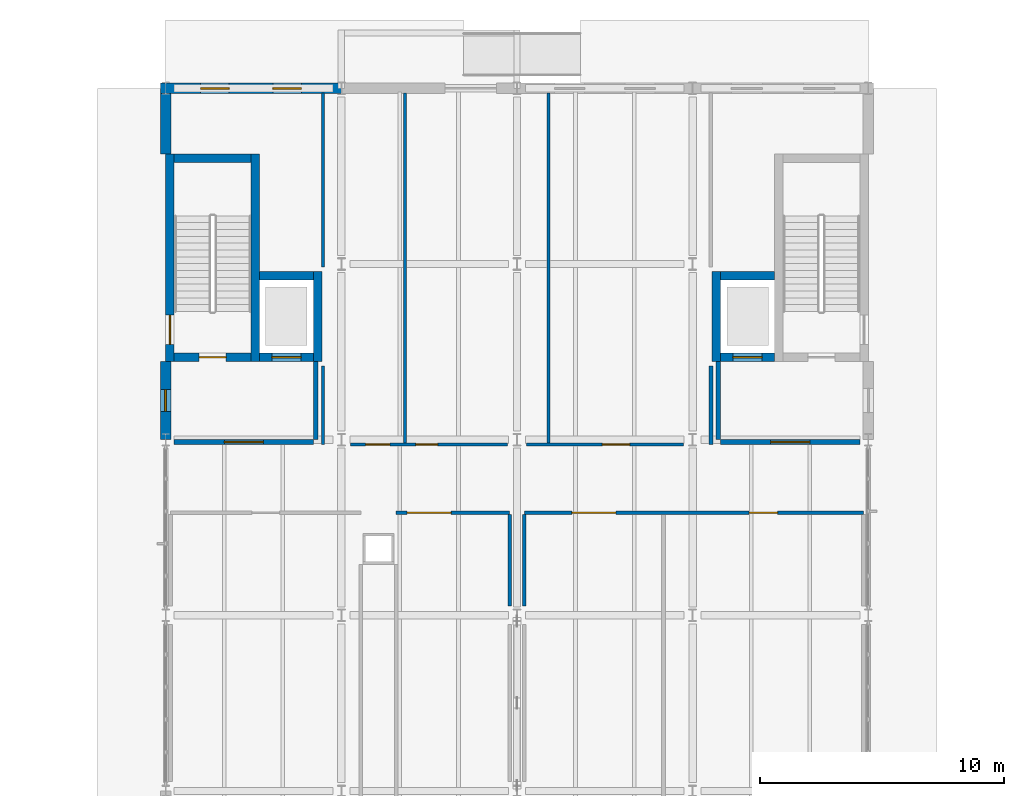
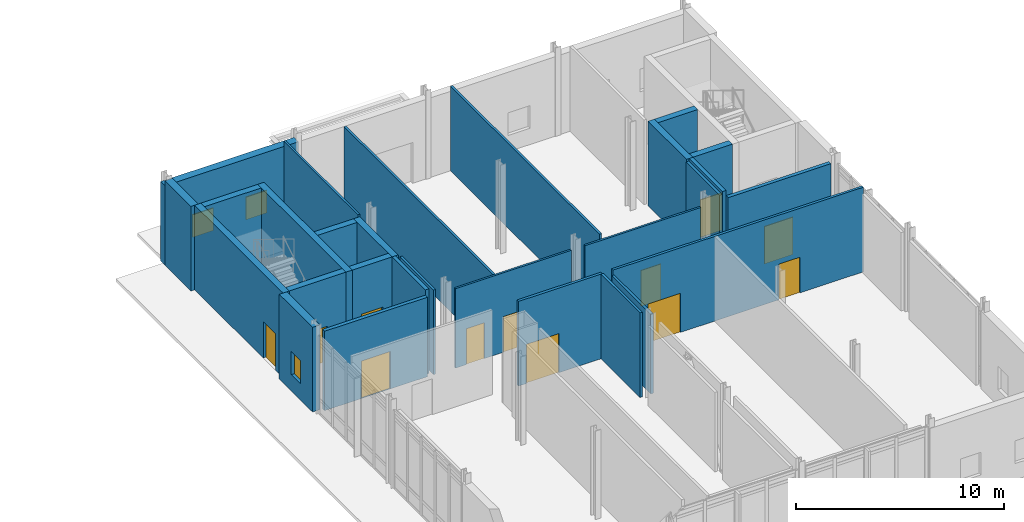
# One storey, part 68 of 89: 28 walls, 12 doors, 3 windows, 15 openings.
"""IFC4 building model written with IfcOpenShell, lengths in metres."""

from ifc_helpers import new_model, si_unit, direction, frame, frame_2d, origin, place, context, subcontext, project, spatial, rectangle, extrude, material, layer, layer_set, type_object, element, fill, save


model = new_model("IFC4")

# Units and contexts
model_context = context("Model", 3, precision=1e-05, world=origin(), true_north=direction((0.0, 1.0)))
body_context = subcontext(model_context, "Body", "Model", "MODEL_VIEW")
ifc_project = project(units=[si_unit("LENGTHUNIT", "METRE"), si_unit("AREAUNIT", "SQUARE_METRE"), si_unit("VOLUMEUNIT", "CUBIC_METRE"), si_unit("PLANEANGLEUNIT", "RADIAN"), si_unit("MASSUNIT", "GRAM", prefix="KILO")], contexts=[model_context])

# Site, building, storey
site_placement = place(None, origin())
site = spatial("IfcSite", under=ifc_project, at=site_placement, CompositionType="ELEMENT")
building_placement = place(site_placement, origin())
building = spatial("IfcBuilding", under=site, at=building_placement, Name="Zarrinpeak Specialist Clinic", CompositionType="ELEMENT")
storey_placement = place(building_placement, origin())
storey = spatial("IfcBuildingStorey", under=building, at=storey_placement, Name="L00", CompositionType="ELEMENT", Elevation=0.0)

# Wall, opening, door
ifc_material_1 = material(Name="Concrete C40/50", Category="concrete")
ifc_layer_1 = layer(ifc_material_1, 0.35009765625)
ifc_layer_set_1 = layer_set([ifc_layer_1], Name="Concrete C40/50")
wall_type_1 = type_object("IfcWallType", Name="WL-CR350", PredefinedType="SHEAR", material=ifc_layer_set_1)
wall_1_placement = place(storey_placement, frame((36.35009765625, 106.97509765625, 0.0), z_axis=(0.0, 0.0, 1.0), x_axis=(1.0, 0.0, 0.0)))
wall_1 = element("IfcWall", 1, at=wall_1_placement, inside=storey, type_object=wall_type_1, Name="L00 Core C11 Shear Wall STS", PredefinedType="SHEAR", context=body_context, shape_type="SweptSolid", body=[
    extrude(rectangle(XDim=3.14990234375, YDim=0.35009765625, at=frame_2d((1.574951171875, 0.0))), origin(), (0.0, 0.0, 1.0), 4.969970703125),
])
opening_1_placement = place(wall_1_placement, frame((1.02490234375, 0.0, 0.0)))
opening_1 = element("IfcOpeningElement", 2, at=opening_1_placement, cuts=wall_1, Name="Opening D-S02", PredefinedType="OPENING", context=body_context, shape_type="SweptSolid", body=[
    extrude(rectangle(XDim=1.10009765625, YDim=2.14990234375, at=frame_2d((0.550048828125, 1.074951171875))), frame((0.0, 0.18505859375, 0.0), z_axis=(0.0, -1.0, 0.0), x_axis=(1.0, 0.0, 0.0)), (0.0, 0.0, 1.0), 0.3701171875),
])
ifc_material_2 = material(Name="Powder-Coated Galvanised Steel", Category="steel")
door_type_1 = type_object("IfcDoorType", Name="DR-FD110", OperationType="SINGLE_SWING_RIGHT", PredefinedType="DOOR", material=ifc_material_2)
door_1_placement = place(opening_1_placement, origin())
door_1 = element("IfcDoor", 3, at=door_1_placement, inside=storey, type_object=door_type_1, Name="L00 Protected Stair ST-11 Fire Door", OperationType="SINGLE_SWING_RIGHT", OverallHeight=2.14990234375, OverallWidth=1.10009765625, PredefinedType="DOOR", context=body_context, shape_type="SweptSolid", body=[
    extrude(rectangle(XDim=1.10009765625, YDim=2.14990234375, at=frame_2d((0.550048828125, 1.074951171875))), frame((0.0, 0.02490234375, 0.0), z_axis=(0.0, -1.0, 0.0), x_axis=(1.0, 0.0, 0.0)), (0.0, 0.0, 1.0), 0.050048828125),
])
fill(opening_1, door_1)

# Wall
wall_2_placement = place(storey_placement, frame((36.35009765625, 115.125, 0.0), z_axis=(0.0, 0.0, 1.0), x_axis=(1.0, 0.0, 0.0)))
element("IfcWall", 4, at=wall_2_placement, inside=storey, type_object=wall_type_1, Name="L00 Core C11 Shear Wall STN", PredefinedType="SHEAR", context=body_context, shape_type="SweptSolid", body=[
    extrude(rectangle(XDim=3.14990234375, YDim=0.35009765625, at=frame_2d((1.574951171875, 0.0))), origin(), (0.0, 0.0, 1.0), 4.969970703125),
])

# Wall, opening, door
wall_3_placement = place(storey_placement, frame((36.175048828125, 106.800048828125, 0.0), z_axis=(0.0, 0.0, 1.0), x_axis=(0.0, 1.0, 0.0)))
wall_3 = element("IfcWall", 5, at=wall_3_placement, inside=storey, type_object=wall_type_1, Name="L00 Core C11 Shear Wall STW", PredefinedType="SHEAR", context=body_context, shape_type="SweptSolid", body=[
    extrude(rectangle(XDim=8.5, YDim=0.35009765625, at=frame_2d((4.25, 0.0))), origin(), (0.0, 0.0, 1.0), 4.969970703125),
])
opening_2_placement = place(wall_3_placement, frame((0.699951171875, 0.0, 0.0)))
opening_2 = element("IfcOpeningElement", 6, at=opening_2_placement, cuts=wall_3, Name="Opening D-EX2", PredefinedType="OPENING", context=body_context, shape_type="SweptSolid", body=[
    extrude(rectangle(XDim=1.199951171875, YDim=2.14990234375, at=frame_2d((0.60009765625, 1.074951171875))), frame((0.0, 0.18505859375, 0.0), z_axis=(0.0, -1.0, 0.0), x_axis=(1.0, 0.0, 0.0)), (0.0, 0.0, 1.0), 0.3701171875),
])
ifc_material_3 = material(Name="Powder-Coated Steel and Safety Glazing", Category="steel")
door_type_2 = type_object("IfcDoorType", Name="DR-EX120", OperationType="SINGLE_SWING_LEFT", PredefinedType="DOOR", material=ifc_material_3)
door_2_placement = place(opening_2_placement, origin())
door_2 = element("IfcDoor", 7, at=door_2_placement, inside=storey, type_object=door_type_2, Name="L00 Protected Stair ST-11 Final Exit Discharge Door ED-11", OperationType="SINGLE_SWING_LEFT", OverallHeight=2.14990234375, OverallWidth=1.199951171875, PredefinedType="DOOR", context=body_context, shape_type="SweptSolid", body=[
    extrude(rectangle(XDim=1.199951171875, YDim=2.14990234375, at=frame_2d((0.60009765625, 1.074951171875))), frame((0.0, 0.02490234375, 0.0), z_axis=(0.0, -1.0, 0.0), x_axis=(1.0, 0.0, 0.0)), (0.0, 0.0, 1.0), 0.050048828125),
])
fill(opening_2, door_2)

# Wall
wall_4_placement = place(storey_placement, frame((39.675048828125, 106.800048828125, 0.0), z_axis=(0.0, 0.0, 1.0), x_axis=(0.0, 1.0, 0.0)))
element("IfcWall", 8, at=wall_4_placement, inside=storey, type_object=wall_type_1, Name="L00 Core C11 Shear Wall STE", PredefinedType="SHEAR", context=body_context, shape_type="SweptSolid", body=[
    extrude(rectangle(XDim=8.5, YDim=0.35009765625, at=frame_2d((4.25, 0.0))), origin(), (0.0, 0.0, 1.0), 4.969970703125),
])

# Wall, opening, door
wall_5_placement = place(storey_placement, frame((39.85009765625, 106.97509765625, 0.0), z_axis=(0.0, 0.0, 1.0), x_axis=(1.0, 0.0, 0.0)))
wall_5 = element("IfcWall", 9, at=wall_5_placement, inside=storey, type_object=wall_type_1, Name="L00 Lift LF-P1 Shaft Wall LFS", PredefinedType="SHEAR", context=body_context, shape_type="SweptSolid", body=[
    extrude(rectangle(XDim=2.199951171875, YDim=0.35009765625, at=frame_2d((1.10009765625, 0.0))), origin(), (0.0, 0.0, 1.0), 4.969970703125),
])
opening_3_placement = place(wall_5_placement, frame((0.5, 0.0, 0.0)))
opening_3 = element("IfcOpeningElement", 10, at=opening_3_placement, cuts=wall_5, Name="Opening LD-02", PredefinedType="OPENING", context=body_context, shape_type="SweptSolid", body=[
    extrude(rectangle(XDim=1.199951171875, YDim=2.199951171875, at=frame_2d((0.60009765625, 1.10009765625))), frame((0.0, 0.18505859375, 0.0), z_axis=(0.0, -1.0, 0.0), x_axis=(1.0, 0.0, 0.0)), (0.0, 0.0, 1.0), 0.3701171875),
])
door_type_3 = type_object("IfcDoorType", Name="DR-LD120", OperationType="SLIDING_TO_RIGHT", PredefinedType="DOOR", material=ifc_material_2)
door_3_placement = place(opening_3_placement, origin())
door_3 = element("IfcDoor", 11, at=door_3_placement, inside=storey, type_object=door_type_3, Name="L00 Lift LF-P1 Sliding Landing Door", OperationType="SLIDING_TO_RIGHT", OverallHeight=2.199951171875, OverallWidth=1.199951171875, PredefinedType="DOOR", context=body_context, shape_type="SweptSolid", body=[
    extrude(rectangle(XDim=1.199951171875, YDim=2.199951171875, at=frame_2d((0.60009765625, 1.10009765625))), frame((0.0, 0.02490234375, 0.0), z_axis=(0.0, -1.0, 0.0), x_axis=(1.0, 0.0, 0.0)), (0.0, 0.0, 1.0), 0.050048828125),
])
fill(opening_3, door_3)

# Walls
wall_6_placement = place(storey_placement, frame((39.85009765625, 110.324951171875, 0.0), z_axis=(0.0, 0.0, 1.0), x_axis=(1.0, 0.0, 0.0)))
element("IfcWall", 12, at=wall_6_placement, inside=storey, type_object=wall_type_1, Name="L00 Lift LF-P1 Shaft Wall LFN", PredefinedType="SHEAR", context=body_context, shape_type="SweptSolid", body=[
    extrude(rectangle(XDim=2.199951171875, YDim=0.35009765625, at=frame_2d((1.10009765625, 0.0))), origin(), (0.0, 0.0, 1.0), 4.969970703125),
])
wall_7_placement = place(storey_placement, frame((42.22509765625, 106.800048828125, 0.0), z_axis=(0.0, 0.0, 1.0), x_axis=(0.0, 1.0, 0.0)))
element("IfcWall", 13, at=wall_7_placement, inside=storey, type_object=wall_type_1, Name="L00 Lift LF-P1 Shaft Wall LFE", PredefinedType="SHEAR", context=body_context, shape_type="SweptSolid", body=[
    extrude(rectangle(XDim=3.699951171875, YDim=0.35009765625, at=frame_2d((1.85009765625, 0.0))), origin(), (0.0, 0.0, 1.0), 4.969970703125),
])

# Wall, opening, door
wall_8_placement = place(storey_placement, frame((58.75, 106.97509765625, 0.0), z_axis=(0.0, 0.0, 1.0), x_axis=(1.0, 0.0, 0.0)))
wall_8 = element("IfcWall", 14, at=wall_8_placement, inside=storey, type_object=wall_type_1, Name="L00 Lift LF-P6 Shaft Wall LFS", PredefinedType="SHEAR", context=body_context, shape_type="SweptSolid", body=[
    extrude(rectangle(XDim=2.199951171875, YDim=0.35009765625, at=frame_2d((1.10009765625, 0.0))), origin(), (0.0, 0.0, 1.0), 4.969970703125),
])
opening_4_placement = place(wall_8_placement, frame((0.5, 0.0, 0.0)))
opening_4 = element("IfcOpeningElement", 15, at=opening_4_placement, cuts=wall_8, Name="Opening LD-02", PredefinedType="OPENING", context=body_context, shape_type="SweptSolid", body=[
    extrude(rectangle(XDim=1.199951171875, YDim=2.199951171875, at=frame_2d((0.60009765625, 1.10009765625))), frame((0.0, 0.18505859375, 0.0), z_axis=(0.0, -1.0, 0.0), x_axis=(1.0, 0.0, 0.0)), (0.0, 0.0, 1.0), 0.3701171875),
])
door_4_placement = place(opening_4_placement, origin())
door_4 = element("IfcDoor", 16, at=door_4_placement, inside=storey, type_object=door_type_3, Name="L00 Lift LF-P6 Sliding Landing Door", OperationType="SLIDING_TO_RIGHT", OverallHeight=2.199951171875, OverallWidth=1.199951171875, PredefinedType="DOOR", context=body_context, shape_type="SweptSolid", body=[
    extrude(rectangle(XDim=1.199951171875, YDim=2.199951171875, at=frame_2d((0.60009765625, 1.10009765625))), frame((0.0, 0.02490234375, 0.0), z_axis=(0.0, -1.0, 0.0), x_axis=(1.0, 0.0, 0.0)), (0.0, 0.0, 1.0), 0.050048828125),
])
fill(opening_4, door_4)

# Walls
wall_9_placement = place(storey_placement, frame((58.75, 110.324951171875, 0.0), z_axis=(0.0, 0.0, 1.0), x_axis=(1.0, 0.0, 0.0)))
element("IfcWall", 17, at=wall_9_placement, inside=storey, type_object=wall_type_1, Name="L00 Lift LF-P6 Shaft Wall LFN", PredefinedType="SHEAR", context=body_context, shape_type="SweptSolid", body=[
    extrude(rectangle(XDim=2.199951171875, YDim=0.35009765625, at=frame_2d((1.10009765625, 0.0))), origin(), (0.0, 0.0, 1.0), 4.969970703125),
])
wall_10_placement = place(storey_placement, frame((58.574951171875, 106.800048828125, 0.0), z_axis=(0.0, 0.0, 1.0), x_axis=(0.0, 1.0, 0.0)))
element("IfcWall", 18, at=wall_10_placement, inside=storey, type_object=wall_type_1, Name="L00 Lift LF-P6 Shaft Wall LFW", PredefinedType="SHEAR", context=body_context, shape_type="SweptSolid", body=[
    extrude(rectangle(XDim=3.699951171875, YDim=0.35009765625, at=frame_2d((1.85009765625, 0.0))), origin(), (0.0, 0.0, 1.0), 4.969970703125),
])

# Wall, openings, windows
ifc_material_4 = material(Name="Precast concrete C40/50", Category="concrete")
ifc_layer_2 = layer(ifc_material_4, 0.419921875)
ifc_layer_set_2 = layer_set([ifc_layer_2], Name="Precast concrete C40/50")
wall_type_2 = type_object("IfcWallType", Name="WL-EW420", PredefinedType="STANDARD", material=ifc_layer_set_2)
wall_11_placement = place(storey_placement, frame((43.199951171875, 118.0, 0.0), z_axis=(0.0, 0.0, 1.0), x_axis=(-1.0, 0.0, 0.0)))
wall_11 = element("IfcWall", 19, at=wall_11_placement, inside=storey, type_object=wall_type_2, Name="L00 V6 Exterior GRC Wall EW-L00-V6-0267", PredefinedType="STANDARD", context=body_context, shape_type="SweptSolid", body=[
    extrude(rectangle(XDim=7.409912109375, YDim=0.419921875, at=frame_2d((3.705078125, 0.0))), origin(), (0.0, 0.0, 1.0), 4.6650390625),
])
opening_5_placement = place(wall_11_placement, frame((1.639892578125, 0.0, 0.949951171875)))
opening_5 = element("IfcOpeningElement", 20, at=opening_5_placement, cuts=wall_11, Name="Opening WS-36", PredefinedType="OPENING", context=body_context, shape_type="SweptSolid", body=[
    extrude(rectangle(XDim=1.166015625, YDim=1.33203125, at=frame_2d((0.5830078125, 0.666015625))), frame((0.0, 0.219970703125, 0.0), z_axis=(0.0, -1.0, 0.0), x_axis=(1.0, 0.0, 0.0)), (0.0, 0.0, 1.0), 0.43994140625),
])
opening_6_placement = place(wall_11_placement, frame((4.60400390625, 0.0, 0.949951171875)))
opening_6 = element("IfcOpeningElement", 21, at=opening_6_placement, cuts=wall_11, Name="Opening WS-36", PredefinedType="OPENING", context=body_context, shape_type="SweptSolid", body=[
    extrude(rectangle(XDim=1.166015625, YDim=1.33203125, at=frame_2d((0.5830078125, 0.666015625))), frame((0.0, 0.219970703125, 0.0), z_axis=(0.0, -1.0, 0.0), x_axis=(1.0, 0.0, 0.0)), (0.0, 0.0, 1.0), 0.43994140625),
])
ifc_material_5 = material(Name="Thermally Broken Aluminium and Low-E Glazing", Category="aluminium")
window_type_1 = type_object("IfcWindowType", Name="WN-SP36", PartitioningType="SINGLE_PANEL", PredefinedType="WINDOW", material=ifc_material_5)
window_1_placement = place(opening_5_placement, origin())
window_1 = element("IfcWindow", 22, at=window_1_placement, inside=storey, type_object=window_type_1, Name="L00 Modular Facade Window WN-L00-0299", OverallHeight=1.33203125, OverallWidth=1.166015625, PartitioningType="SINGLE_PANEL", PredefinedType="WINDOW", context=body_context, shape_type="SweptSolid", body=[
    extrude(rectangle(XDim=1.166015625, YDim=1.33203125, at=frame_2d((0.5830078125, 0.666015625))), frame((0.0, 0.030029296875, 0.0), z_axis=(0.0, -1.0, 0.0), x_axis=(1.0, 0.0, 0.0)), (0.0, 0.0, 1.0), 0.06005859375),
])
fill(opening_5, window_1)
window_2_placement = place(opening_6_placement, origin())
window_2 = element("IfcWindow", 23, at=window_2_placement, inside=storey, type_object=window_type_1, Name="L00 Modular Facade Window WN-L00-0300", OverallHeight=1.33203125, OverallWidth=1.166015625, PartitioningType="SINGLE_PANEL", PredefinedType="WINDOW", context=body_context, shape_type="SweptSolid", body=[
    extrude(rectangle(XDim=1.166015625, YDim=1.33203125, at=frame_2d((0.5830078125, 0.666015625))), frame((0.0, 0.030029296875, 0.0), z_axis=(0.0, -1.0, 0.0), x_axis=(1.0, 0.0, 0.0)), (0.0, 0.0, 1.0), 0.06005859375),
])
fill(opening_6, window_2)

# Wall, opening, window
wall_12_placement = place(storey_placement, frame((36.0, 106.800048828125, 0.0), z_axis=(0.0, 0.0, 1.0), x_axis=(0.0, -1.0, 0.0)))
wall_12 = element("IfcWall", 24, at=wall_12_placement, inside=storey, type_object=wall_type_2, Name="L00 V6 Exterior GRC Wall EW-L00-V6-0272", PredefinedType="STANDARD", context=body_context, shape_type="SweptSolid", body=[
    extrude(rectangle(XDim=3.199951171875, YDim=0.419921875, at=frame_2d((1.60009765625, 0.0))), origin(), (0.0, 0.0, 1.0), 4.969970703125),
])
opening_7_placement = place(wall_12_placement, frame((1.153076171875, 0.0, 0.949951171875)))
opening_7 = element("IfcOpeningElement", 25, at=opening_7_placement, cuts=wall_12, Name="Opening WS-41", PredefinedType="OPENING", context=body_context, shape_type="SweptSolid", body=[
    extrude(rectangle(XDim=0.89404296875, YDim=1.367919921875, at=frame_2d((0.447021484375, 0.68408203125))), frame((0.0, 0.219970703125, 0.0), z_axis=(0.0, -1.0, 0.0), x_axis=(1.0, 0.0, 0.0)), (0.0, 0.0, 1.0), 0.43994140625),
])
window_type_2 = type_object("IfcWindowType", Name="WN-SP41", PartitioningType="SINGLE_PANEL", PredefinedType="WINDOW", material=ifc_material_5)
window_3_placement = place(opening_7_placement, origin())
window_3 = element("IfcWindow", 26, at=window_3_placement, inside=storey, type_object=window_type_2, Name="L00 Modular Facade Window WN-L00-0307", OverallHeight=1.367919921875, OverallWidth=0.89404296875, PartitioningType="SINGLE_PANEL", PredefinedType="WINDOW", context=body_context, shape_type="SweptSolid", body=[
    extrude(rectangle(XDim=0.89404296875, YDim=1.367919921875, at=frame_2d((0.447021484375, 0.68408203125))), frame((0.0, 0.030029296875, 0.0), z_axis=(0.0, -1.0, 0.0), x_axis=(1.0, 0.0, 0.0)), (0.0, 0.0, 1.0), 0.06005859375),
])
fill(opening_7, window_3)

# Wall
wall_13_placement = place(storey_placement, frame((36.0, 117.7900390625, 0.0), z_axis=(0.0, 0.0, 1.0), x_axis=(0.0, -1.0, 0.0)))
element("IfcWall", 27, at=wall_13_placement, inside=storey, type_object=wall_type_2, Name="L00 V6 Exterior GRC Wall EW-L00-V6-0273", PredefinedType="STANDARD", context=body_context, shape_type="SweptSolid", body=[
    extrude(rectangle(XDim=2.489990234375, YDim=0.419921875, at=frame_2d((1.2451171875, 0.0))), origin(), (0.0, 0.0, 1.0), 4.969970703125),
])

# Wall, openings, doors
ifc_material_6 = material(Name="Sanitary Service Chase Plumbing Wall", Category="gypsum")
ifc_layer_3 = layer(ifc_material_6, 0.110107421875)
ifc_layer_set_3 = layer_set([ifc_layer_3], Name="Sanitary Service Chase Plumbing Wall")
wall_type_3 = type_object("IfcWallType", Name="WL-IW110", PredefinedType="PARTITIONING", material=ifc_layer_set_3)
wall_14_placement = place(storey_placement, frame((43.580078125, 103.39990234375, 0.0), z_axis=(0.0, 0.0, 1.0), x_axis=(1.0, 0.0, 0.0)))
wall_14 = element("IfcWall", 28, at=wall_14_placement, inside=storey, type_object=wall_type_3, Name="L00 Accessible Visitor WC Partition", PredefinedType="PARTITIONING", context=body_context, shape_type="SweptSolid", body=[
    extrude(rectangle(XDim=6.43994140625, YDim=0.110107421875, at=frame_2d((3.219970703125, 0.0))), origin(), (0.0, 0.0, 1.0), 4.6650390625),
])
opening_8_placement = place(wall_14_placement, frame((0.610107421875, 0.0, 0.0)))
opening_8 = element("IfcOpeningElement", 29, at=opening_8_placement, cuts=wall_14, Name="Opening D-W02", PredefinedType="OPENING", context=body_context, shape_type="SweptSolid", body=[
    extrude(rectangle(XDim=1.0, YDim=2.10009765625, at=frame_2d((0.5, 1.050048828125))), frame((0.0, 0.06494140625, 0.0), z_axis=(0.0, -1.0, 0.0), x_axis=(1.0, 0.0, 0.0)), (0.0, 0.0, 1.0), 0.130126953125),
])
opening_9_placement = place(wall_14_placement, frame((2.669921875, 0.0, 0.0)))
opening_9 = element("IfcOpeningElement", 30, at=opening_9_placement, cuts=wall_14, Name="Opening D-W01", PredefinedType="OPENING", context=body_context, shape_type="SweptSolid", body=[
    extrude(rectangle(XDim=0.89990234375, YDim=2.10009765625, at=frame_2d((0.449951171875, 1.050048828125))), frame((0.0, 0.06494140625, 0.0), z_axis=(0.0, -1.0, 0.0), x_axis=(1.0, 0.0, 0.0)), (0.0, 0.0, 1.0), 0.130126953125),
])
door_type_4 = type_object("IfcDoorType", Name="DR-AWC100", OperationType="SLIDING_TO_LEFT", PredefinedType="DOOR", material=ifc_material_2)
door_5_placement = place(opening_8_placement, frame((1.0, 0.0, 0.0), z_axis=(0.0, 0.0, 1.0), x_axis=(-1.0, 0.0, 0.0)))
door_5 = element("IfcDoor", 31, at=door_5_placement, inside=storey, type_object=door_type_4, Name="L00 Accessible Visitor WC Door", OperationType="SLIDING_TO_LEFT", OverallHeight=2.10009765625, OverallWidth=1.0, PredefinedType="DOOR", context=body_context, shape_type="SweptSolid", body=[
    extrude(rectangle(XDim=1.0, YDim=2.10009765625, at=frame_2d((0.5, 1.050048828125))), frame((0.0, 0.02490234375, 0.0), z_axis=(0.0, -1.0, 0.0), x_axis=(1.0, 0.0, 0.0)), (0.0, 0.0, 1.0), 0.050048828125),
])
fill(opening_8, door_5)
door_type_5 = type_object("IfcDoorType", Name="DR-WC90", OperationType="SINGLE_SWING_RIGHT", PredefinedType="DOOR", material=ifc_material_2)
door_6_placement = place(opening_9_placement, frame((0.89990234375, 0.0, 0.0), z_axis=(0.0, 0.0, 1.0), x_axis=(-1.0, 0.0, 0.0)))
door_6 = element("IfcDoor", 32, at=door_6_placement, inside=storey, type_object=door_type_5, Name="L00 Public Washroom Door", OperationType="SINGLE_SWING_RIGHT", OverallHeight=2.10009765625, OverallWidth=0.89990234375, PredefinedType="DOOR", context=body_context, shape_type="SweptSolid", body=[
    extrude(rectangle(XDim=0.89990234375, YDim=2.10009765625, at=frame_2d((0.449951171875, 1.050048828125))), frame((0.0, 0.02490234375, 0.0), z_axis=(0.0, -1.0, 0.0), x_axis=(1.0, 0.0, 0.0)), (0.0, 0.0, 1.0), 0.050048828125),
])
fill(opening_9, door_6)

# Wall, opening, door
wall_15_placement = place(storey_placement, frame((50.780029296875, 103.39990234375, 0.0), z_axis=(0.0, 0.0, 1.0), x_axis=(1.0, 0.0, 0.0)))
wall_15 = element("IfcWall", 33, at=wall_15_placement, inside=storey, type_object=wall_type_3, Name="L00 Accessible Visitor WC Partition", PredefinedType="PARTITIONING", context=body_context, shape_type="SweptSolid", body=[
    extrude(rectangle(XDim=6.43994140625, YDim=0.110107421875, at=frame_2d((3.219970703125, 0.0))), origin(), (0.0, 0.0, 1.0), 4.6650390625),
])
opening_10_placement = place(wall_15_placement, frame((3.123046875, 0.0, 0.0)))
opening_10 = element("IfcOpeningElement", 34, at=opening_10_placement, cuts=wall_15, Name="Opening DS-36", PredefinedType="OPENING", context=body_context, shape_type="SweptSolid", body=[
    extrude(rectangle(XDim=1.114013671875, YDim=2.095947265625, at=frame_2d((0.55712890625, 1.0478515625))), frame((0.0, 0.06494140625, 0.0), z_axis=(0.0, -1.0, 0.0), x_axis=(1.0, 0.0, 0.0)), (0.0, 0.0, 1.0), 0.130126953125),
])
door_type_6 = type_object("IfcDoorType", Name="DR-SP36", OperationType="SINGLE_SWING_LEFT", PredefinedType="DOOR", material=ifc_material_2)
door_7_placement = place(opening_10_placement, frame((1.114013671875, 0.0, 0.0), z_axis=(0.0, 0.0, 1.0), x_axis=(-1.0, 0.0, 0.0)))
door_7 = element("IfcDoor", 35, at=door_7_placement, inside=storey, type_object=door_type_6, Name="L00 Symposium Foyer Concourse Door", OperationType="SINGLE_SWING_LEFT", OverallHeight=2.095947265625, OverallWidth=1.114013671875, PredefinedType="DOOR", context=body_context, shape_type="SweptSolid", body=[
    extrude(rectangle(XDim=1.114013671875, YDim=2.095947265625, at=frame_2d((0.55712890625, 1.0478515625))), frame((0.0, 0.02490234375, 0.0), z_axis=(0.0, -1.0, 0.0), x_axis=(1.0, 0.0, 0.0)), (0.0, 0.0, 1.0), 0.050048828125),
])
fill(opening_10, door_7)

# Walls
wall_16_placement = place(storey_placement, frame((42.449951171875, 110.675048828125, 0.0), z_axis=(0.0, 0.0, 1.0), x_axis=(0.0, 1.0, 0.0)))
element("IfcWall", 36, at=wall_16_placement, inside=storey, type_object=wall_type_3, Name="L00 Accessible Visitor WC Dividing Partition", PredefinedType="PARTITIONING", context=body_context, shape_type="SweptSolid", body=[
    extrude(rectangle(XDim=7.125, YDim=0.110107421875, at=frame_2d((3.5625, 0.0))), origin(), (0.0, 0.0, 1.0), 4.969970703125),
])
ifc_material_7 = material(Name="Moisture-Resistant Wet-Room Partition", Category="gypsum")
ifc_layer_4 = layer(ifc_material_7, 0.125)
ifc_layer_set_4 = layer_set([ifc_layer_4], Name="Moisture-Resistant Wet-Room Partition")
wall_type_4 = type_object("IfcWallType", Name="WL-IW125W", PredefinedType="PARTITIONING", material=ifc_layer_set_4)
wall_17_placement = place(storey_placement, frame((42.449951171875, 103.39990234375, 0.0), z_axis=(0.0, 0.0, 1.0), x_axis=(0.0, 1.0, 0.0)))
element("IfcWall", 37, at=wall_17_placement, inside=storey, type_object=wall_type_4, Name="L00 Accessible Visitor WC Dividing Partition", PredefinedType="PARTITIONING", context=body_context, shape_type="SweptSolid", body=[
    extrude(rectangle(XDim=3.22509765625, YDim=0.125, at=frame_2d((1.612548828125, 0.0))), origin(), (0.0, 0.0, 1.0), 4.969970703125),
])
wall_18_placement = place(storey_placement, frame((45.800048828125, 103.455078125, 0.0), z_axis=(0.0, 0.0, 1.0), x_axis=(0.0, 1.0, 0.0)))
element("IfcWall", 38, at=wall_18_placement, inside=storey, type_object=wall_type_4, Name="L00 Accessible Visitor WC Dividing Partition", PredefinedType="PARTITIONING", context=body_context, shape_type="SweptSolid", body=[
    extrude(rectangle(XDim=14.344970703125, YDim=0.125, at=frame_2d((7.17236328125, 0.0))), origin(), (0.0, 0.0, 1.0), 4.655029296875),
])
wall_19_placement = place(storey_placement, frame((51.699951171875, 103.455078125, 0.0), z_axis=(0.0, 0.0, 1.0), x_axis=(0.0, 1.0, 0.0)))
element("IfcWall", 39, at=wall_19_placement, inside=storey, type_object=wall_type_4, Name="L00 Public Washroom Dividing Partition", PredefinedType="PARTITIONING", context=body_context, shape_type="SweptSolid", body=[
    extrude(rectangle(XDim=14.344970703125, YDim=0.125, at=frame_2d((7.17236328125, 0.0))), origin(), (0.0, 0.0, 1.0), 4.969970703125),
])
ifc_material_8 = material(Name="Standard Drywall Partition", Category="gypsum")
ifc_layer_5 = layer(ifc_material_8, 0.135009765625)
ifc_layer_set_5 = layer_set([ifc_layer_5], Name="Standard Drywall Partition")
wall_type_5 = type_object("IfcWallType", Name="WL-IW135", PredefinedType="PARTITIONING", material=ifc_layer_set_5)
wall_20_placement = place(storey_placement, frame((50.10009765625, 96.780029296875, 0.0), z_axis=(0.0, 0.0, 1.0), x_axis=(0.0, 1.0, 0.0)))
element("IfcWall", 40, at=wall_20_placement, inside=storey, type_object=wall_type_5, Name="L00 Clinical Auditorium Lecture Hall Dividing Partition", PredefinedType="PARTITIONING", context=body_context, shape_type="SweptSolid", body=[
    extrude(rectangle(XDim=3.744873046875, YDim=0.135009765625, at=frame_2d((1.87255859375, 0.0))), origin(), (0.0, 0.0, 1.0), 4.969970703125),
])

# Wall, openings, doors
ifc_material_9 = material(Name="Acoustic Consultation Stud Partition", Category="gypsum")
ifc_layer_6 = layer(ifc_material_9, 0.14208984375)
ifc_layer_set_6 = layer_set([ifc_layer_6], Name="Acoustic Consultation Stud Partition")
wall_type_6 = type_object("IfcWallType", Name="WL-IW142", PredefinedType="PARTITIONING", material=ifc_layer_set_6)
wall_21_placement = place(storey_placement, frame((50.699951171875, 100.60009765625, 0.0), z_axis=(0.0, 0.0, 1.0), x_axis=(1.0, 0.0, 0.0)))
wall_21 = element("IfcWall", 41, at=wall_21_placement, inside=storey, type_object=wall_type_6, Name="L00 Medical Simulation Skills Room Partition", PredefinedType="PARTITIONING", context=body_context, shape_type="SweptSolid", body=[
    extrude(rectangle(XDim=13.900146484375, YDim=0.14208984375, at=frame_2d((6.9501953125, 0.0))), origin(), (0.0, 0.0, 1.0), 4.969970703125),
])
opening_11_placement = place(wall_21_placement, frame((1.949951171875, 0.0, 0.0)))
opening_11 = element("IfcOpeningElement", 42, at=opening_11_placement, cuts=wall_21, Name="Opening D-H01", PredefinedType="OPENING", context=body_context, shape_type="SweptSolid", body=[
    extrude(rectangle(XDim=1.800048828125, YDim=2.300048828125, at=frame_2d((0.89990234375, 1.14990234375))), frame((0.0, 0.0810546875, 0.0), z_axis=(0.0, -1.0, 0.0), x_axis=(1.0, 0.0, 0.0)), (0.0, 0.0, 1.0), 0.162109375),
])
opening_12_placement = place(wall_21_placement, frame((9.217041015625, 0.0, 0.0)))
opening_12 = element("IfcOpeningElement", 43, at=opening_12_placement, cuts=wall_21, Name="Opening DS-38", PredefinedType="OPENING", context=body_context, shape_type="SweptSolid", body=[
    extrude(rectangle(XDim=1.166015625, YDim=2.095947265625, at=frame_2d((0.5830078125, 1.0478515625))), frame((0.0, 0.0810546875, 0.0), z_axis=(0.0, -1.0, 0.0), x_axis=(1.0, 0.0, 0.0)), (0.0, 0.0, 1.0), 0.162109375),
])
door_type_7 = type_object("IfcDoorType", Name="DR-HAL180", OperationType="DOUBLE_DOOR_SINGLE_SWING", PredefinedType="DOOR", material=ifc_material_2)
door_8_placement = place(opening_11_placement, origin())
door_8 = element("IfcDoor", 44, at=door_8_placement, inside=storey, type_object=door_type_7, Name="L00 Medical Simulation Skills Room Door", OperationType="DOUBLE_DOOR_SINGLE_SWING", OverallHeight=2.300048828125, OverallWidth=1.800048828125, PredefinedType="DOOR", context=body_context, shape_type="SweptSolid", body=[
    extrude(rectangle(XDim=1.800048828125, YDim=2.300048828125, at=frame_2d((0.89990234375, 1.14990234375))), frame((0.0, 0.02490234375, 0.0), z_axis=(0.0, -1.0, 0.0), x_axis=(1.0, 0.0, 0.0)), (0.0, 0.0, 1.0), 0.050048828125),
])
fill(opening_11, door_8)
door_type_8 = type_object("IfcDoorType", Name="DR-SP38", OperationType="SINGLE_SWING_LEFT", PredefinedType="DOOR", material=ifc_material_2)
door_9_placement = place(opening_12_placement, origin())
door_9 = element("IfcDoor", 45, at=door_9_placement, inside=storey, type_object=door_type_8, Name="L00 Specialist Consultation Room 2 Door", OperationType="SINGLE_SWING_LEFT", OverallHeight=2.095947265625, OverallWidth=1.166015625, PredefinedType="DOOR", context=body_context, shape_type="SweptSolid", body=[
    extrude(rectangle(XDim=1.166015625, YDim=2.095947265625, at=frame_2d((0.5830078125, 1.0478515625))), frame((0.0, 0.02490234375, 0.0), z_axis=(0.0, -1.0, 0.0), x_axis=(1.0, 0.0, 0.0)), (0.0, 0.0, 1.0), 0.050048828125),
])
fill(opening_12, door_9)

# Wall
wall_22_placement = place(storey_placement, frame((50.699951171875, 96.780029296875, 0.0), z_axis=(0.0, 0.0, 1.0), x_axis=(0.0, 1.0, 0.0)))
element("IfcWall", 46, at=wall_22_placement, inside=storey, type_object=wall_type_6, Name="L00 Medical Simulation Skills Room Dividing Partition", PredefinedType="PARTITIONING", context=body_context, shape_type="SweptSolid", body=[
    extrude(rectangle(XDim=3.7490234375, YDim=0.14208984375, at=frame_2d((1.87451171875, 0.0))), origin(), (0.0, 0.0, 1.0), 4.6650390625),
])

# Wall, opening, door
ifc_material_10 = material(Name="Insulated Clinical Gypsum Stud Partition", Category="gypsum")
ifc_layer_7 = layer(ifc_material_10, 0.14990234375)
ifc_layer_set_7 = layer_set([ifc_layer_7], Name="Insulated Clinical Gypsum Stud Partition")
wall_type_7 = type_object("IfcWallType", Name="WL-IW150", PredefinedType="PARTITIONING", material=ifc_layer_set_7)
wall_23_placement = place(storey_placement, frame((45.449951171875, 100.60009765625, 0.0), z_axis=(0.0, 0.0, 1.0), x_axis=(1.0, 0.0, 0.0)))
wall_23 = element("IfcWall", 47, at=wall_23_placement, inside=storey, type_object=wall_type_7, Name="L00 Clinical Auditorium Lecture Hall Partition", PredefinedType="PARTITIONING", context=body_context, shape_type="SweptSolid", body=[
    extrude(rectangle(XDim=4.650146484375, YDim=0.14990234375, at=frame_2d((2.3251953125, 0.0))), origin(), (0.0, 0.0, 1.0), 4.969970703125),
])
opening_13_placement = place(wall_23_placement, frame((0.449951171875, 0.0, 0.0)))
opening_13 = element("IfcOpeningElement", 48, at=opening_13_placement, cuts=wall_23, Name="Opening D-H01", PredefinedType="OPENING", context=body_context, shape_type="SweptSolid", body=[
    extrude(rectangle(XDim=1.800048828125, YDim=2.300048828125, at=frame_2d((0.89990234375, 1.14990234375))), frame((0.0, 0.0849609375, 0.0), z_axis=(0.0, -1.0, 0.0), x_axis=(1.0, 0.0, 0.0)), (0.0, 0.0, 1.0), 0.169921875),
])
door_10_placement = place(opening_13_placement, origin())
door_10 = element("IfcDoor", 49, at=door_10_placement, inside=storey, type_object=door_type_7, Name="L00 Clinical Auditorium Lecture Hall Door", OperationType="DOUBLE_DOOR_SINGLE_SWING", OverallHeight=2.300048828125, OverallWidth=1.800048828125, PredefinedType="DOOR", context=body_context, shape_type="SweptSolid", body=[
    extrude(rectangle(XDim=1.800048828125, YDim=2.300048828125, at=frame_2d((0.89990234375, 1.14990234375))), frame((0.0, 0.02490234375, 0.0), z_axis=(0.0, -1.0, 0.0), x_axis=(1.0, 0.0, 0.0)), (0.0, 0.0, 1.0), 0.050048828125),
])
fill(opening_13, door_10)

# Wall
wall_24_placement = place(storey_placement, frame((58.35009765625, 103.39990234375, 0.0), z_axis=(0.0, 0.0, 1.0), x_axis=(0.0, 1.0, 0.0)))
element("IfcWall", 50, at=wall_24_placement, inside=storey, type_object=wall_type_7, Name="L00 Symposium Foyer Concourse Dividing Partition", PredefinedType="PARTITIONING", context=body_context, shape_type="SweptSolid", body=[
    extrude(rectangle(XDim=3.22509765625, YDim=0.14990234375, at=frame_2d((1.612548828125, 0.0))), origin(), (0.0, 0.0, 1.0), 4.969970703125),
])

# Wall, opening, door
ifc_material_11 = material(Name="Autoclaved Aerated Concrete Blockwork", Category="masonry")
ifc_layer_8 = layer(ifc_material_11, 0.199951171875)
ifc_layer_set_8 = layer_set([ifc_layer_8], Name="Autoclaved Aerated Concrete Blockwork")
wall_type_8 = type_object("IfcWallType", Name="WL-IW200", PredefinedType="PARTITIONING", material=ifc_layer_set_8)
wall_25_placement = place(storey_placement, frame((36.35009765625, 103.5, 0.0), z_axis=(0.0, 0.0, 1.0), x_axis=(1.0, 0.0, 0.0)))
wall_25 = element("IfcWall", 51, at=wall_25_placement, inside=storey, type_object=wall_type_8, Name="L00 C11 Protected Lobby Partition LBF", PredefinedType="PARTITIONING", context=body_context, shape_type="SweptSolid", body=[
    extrude(rectangle(XDim=5.699951171875, YDim=0.199951171875, at=frame_2d((2.85009765625, 0.0))), origin(), (0.0, 0.0, 1.0), 4.6650390625),
])
opening_14_placement = place(wall_25_placement, frame((2.050048828125, 0.0, 0.0)))
opening_14 = element("IfcOpeningElement", 52, at=opening_14_placement, cuts=wall_25, Name="Opening D-L01", PredefinedType="OPENING", context=body_context, shape_type="SweptSolid", body=[
    extrude(rectangle(XDim=1.60009765625, YDim=2.199951171875, at=frame_2d((0.800048828125, 1.10009765625))), frame((0.0, 0.10986328125, 0.0), z_axis=(0.0, -1.0, 0.0), x_axis=(1.0, 0.0, 0.0)), (0.0, 0.0, 1.0), 0.219970703125),
])
door_type_9 = type_object("IfcDoorType", Name="DR-LB160", OperationType="DOUBLE_DOOR_SINGLE_SWING", PredefinedType="DOOR", material=ifc_material_2)
door_11_placement = place(opening_14_placement, origin())
door_11 = element("IfcDoor", 53, at=door_11_placement, inside=storey, type_object=door_type_9, Name="L00 C11 Lobby Hold-Open Fire Door", OperationType="DOUBLE_DOOR_SINGLE_SWING", OverallHeight=2.199951171875, OverallWidth=1.60009765625, PredefinedType="DOOR", context=body_context, shape_type="SweptSolid", body=[
    extrude(rectangle(XDim=1.60009765625, YDim=2.199951171875, at=frame_2d((0.800048828125, 1.10009765625))), frame((0.0, 0.02490234375, 0.0), z_axis=(0.0, -1.0, 0.0), x_axis=(1.0, 0.0, 0.0)), (0.0, 0.0, 1.0), 0.050048828125),
])
fill(opening_14, door_11)

# Wall
wall_26_placement = place(storey_placement, frame((42.14990234375, 103.60009765625, 0.0), z_axis=(0.0, 0.0, 1.0), x_axis=(0.0, 1.0, 0.0)))
element("IfcWall", 54, at=wall_26_placement, inside=storey, type_object=wall_type_8, Name="L00 C11 Protected Lobby Partition LBE", PredefinedType="PARTITIONING", context=body_context, shape_type="SweptSolid", body=[
    extrude(rectangle(XDim=3.199951171875, YDim=0.199951171875, at=frame_2d((1.60009765625, 0.0))), origin(), (0.0, 0.0, 1.0), 4.969970703125),
])

# Wall, opening, door
wall_27_placement = place(storey_placement, frame((58.75, 103.5, 0.0), z_axis=(0.0, 0.0, 1.0), x_axis=(1.0, 0.0, 0.0)))
wall_27 = element("IfcWall", 55, at=wall_27_placement, inside=storey, type_object=wall_type_8, Name="L00 C12 Protected Lobby Partition LBF", PredefinedType="PARTITIONING", context=body_context, shape_type="SweptSolid", body=[
    extrude(rectangle(XDim=5.699951171875, YDim=0.199951171875, at=frame_2d((2.85009765625, 0.0))), origin(), (0.0, 0.0, 1.0), 4.6650390625),
])
opening_15_placement = place(wall_27_placement, frame((2.050048828125, 0.0, 0.0)))
opening_15 = element("IfcOpeningElement", 56, at=opening_15_placement, cuts=wall_27, Name="Opening D-L01", PredefinedType="OPENING", context=body_context, shape_type="SweptSolid", body=[
    extrude(rectangle(XDim=1.60009765625, YDim=2.199951171875, at=frame_2d((0.800048828125, 1.10009765625))), frame((0.0, 0.10986328125, 0.0), z_axis=(0.0, -1.0, 0.0), x_axis=(1.0, 0.0, 0.0)), (0.0, 0.0, 1.0), 0.219970703125),
])
door_12_placement = place(opening_15_placement, origin())
door_12 = element("IfcDoor", 57, at=door_12_placement, inside=storey, type_object=door_type_9, Name="L00 C12 Lobby Hold-Open Fire Door", OperationType="DOUBLE_DOOR_SINGLE_SWING", OverallHeight=2.199951171875, OverallWidth=1.60009765625, PredefinedType="DOOR", context=body_context, shape_type="SweptSolid", body=[
    extrude(rectangle(XDim=1.60009765625, YDim=2.199951171875, at=frame_2d((0.800048828125, 1.10009765625))), frame((0.0, 0.02490234375, 0.0), z_axis=(0.0, -1.0, 0.0), x_axis=(1.0, 0.0, 0.0)), (0.0, 0.0, 1.0), 0.050048828125),
])
fill(opening_15, door_12)

# Wall
wall_28_placement = place(storey_placement, frame((58.64990234375, 103.60009765625, 0.0), z_axis=(0.0, 0.0, 1.0), x_axis=(0.0, 1.0, 0.0)))
element("IfcWall", 58, at=wall_28_placement, inside=storey, type_object=wall_type_8, Name="L00 C12 Protected Lobby Partition LBW", PredefinedType="PARTITIONING", context=body_context, shape_type="SweptSolid", body=[
    extrude(rectangle(XDim=3.199951171875, YDim=0.199951171875, at=frame_2d((1.60009765625, 0.0))), origin(), (0.0, 0.0, 1.0), 4.969970703125),
])

save(model, "model.ifc")
